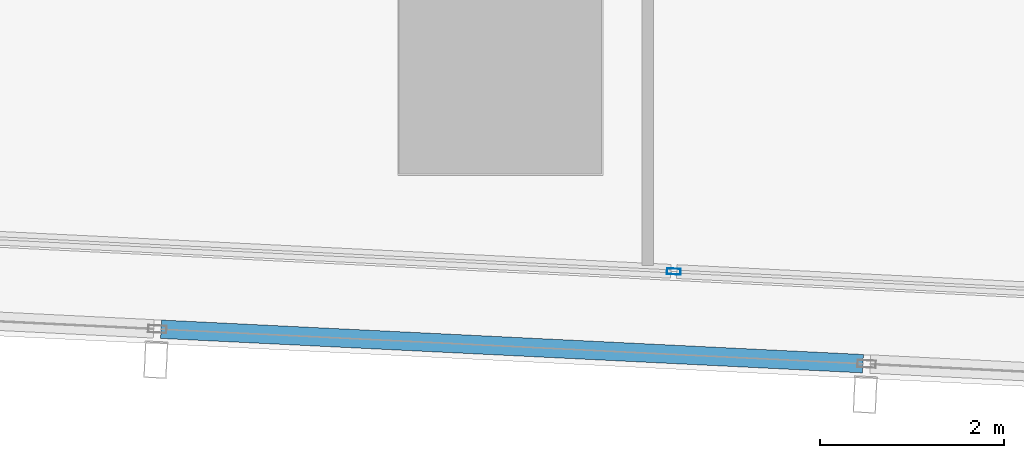
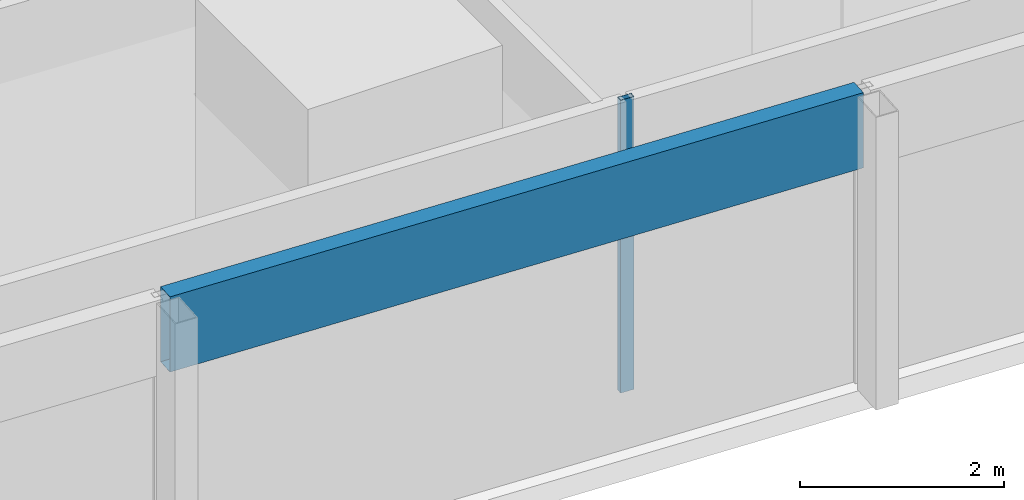
# One storey, part 6 of 42: 2 members, 2 elements without a shape of their own.
"""IFC4 building model written with IfcOpenShell, lengths in metres."""

import ifcopenshell
import ifcopenshell.guid

model = None  # the IFC model being written
_history = None  # IfcOwnerHistory: only IFC2X3 demands one
_inside = {}  # id of a spatial element -> (the spatial element, [elements in it])
_under = {}  # id of a project, library or spatial element -> (it, [spatial elements below it])
_declared = {}  # id of a project -> (the project, [libraries it declares])
_typed = {}  # id of a type object -> (the type object, [elements of that type])
_made_of = {}  # id of a material, layer set ... -> (it, [elements and type objects made of it])


def new_model(schema):
    """Start an empty IFC model of exactly this schema.

    Asked for "IFC4X3", IfcOpenShell would pick the latest addendum, in which some entities
    have other attributes; the version numbers below select the first issue.
    IFC2X3 requires an IfcOwnerHistory on every rooted entity: one is made here for all.
    """
    global model, _history
    if schema == "IFC4X3":
        model = ifcopenshell.file(schema_version=(4, 3, 0, 0))
    else:
        model = ifcopenshell.file(schema=schema)
    _inside.clear()
    _under.clear()
    _declared.clear()
    _typed.clear()
    _made_of.clear()
    _history = None
    if model.schema == "IFC2X3":
        org = make("IfcOrganization", Name="unknown")
        user = make(
            "IfcPersonAndOrganization",
            ThePerson=make("IfcPerson", FamilyName="unknown"),
            TheOrganization=org,
        )
        app = make(
            "IfcApplication",
            ApplicationDeveloper=org,
            Version="unknown",
            ApplicationFullName="unknown",
            ApplicationIdentifier="unknown",
        )
        _history = make(
            "IfcOwnerHistory",
            OwningUser=user,
            OwningApplication=app,
            ChangeAction="ADDED",
            CreationDate=0,
        )
    return model


def make(cls, **values):
    """One entity of the class cls with the attributes given. An attribute that is None is left unset."""
    return model.create_entity(
        cls, **{name: value for name, value in values.items() if value is not None}
    )


def rooted(cls, **values):
    """An entity with a GlobalId (a new one), such as an element, a storey or a relation."""
    return make(cls, GlobalId=ifcopenshell.guid.new(), OwnerHistory=_history, **values)


def si_unit(unit_type, name, prefix=None):
    """IfcSIUnit, for example si_unit("LENGTHUNIT", "METRE", prefix="MILLI")."""
    return make("IfcSIUnit", UnitType=unit_type, Prefix=prefix, Name=name)


def assignment(units):
    """IfcUnitAssignment: the units of a project."""
    return None if units is None else make("IfcUnitAssignment", Units=units)


def point(xyz):
    """IfcCartesianPoint."""
    return None if xyz is None else make("IfcCartesianPoint", Coordinates=xyz)


def direction(xyz):
    """IfcDirection."""
    return None if xyz is None else make("IfcDirection", DirectionRatios=xyz)


def frame(location, z_axis=None, x_axis=None):
    """IfcAxis2Placement3D, a coordinate frame: its origin and axes. An axis left out is left unset."""
    return make(
        "IfcAxis2Placement3D",
        Location=point(location),
        Axis=direction(z_axis),
        RefDirection=direction(x_axis),
    )


def frame_2d(location, x_axis=None):
    """IfcAxis2Placement2D, a coordinate frame in the plane: its origin and x axis."""
    return make(
        "IfcAxis2Placement2D", Location=point(location), RefDirection=direction(x_axis)
    )


def origin():
    """The frame at (0, 0, 0) with its axes left unset."""
    return frame((0.0, 0.0, 0.0))


def origin_2d():
    """The frame at (0, 0) in the plane with its x axis left unset."""
    return frame_2d((0.0, 0.0))


def place(relative_to, where):
    """IfcLocalPlacement: puts the frame where relative to a parent placement (None: the world)."""
    return make(
        "IfcLocalPlacement", PlacementRelTo=relative_to, RelativePlacement=where
    )


def context(
    kind, dimensions, precision=None, world=None, true_north=None, identifier=None
):
    """IfcGeometricRepresentationContext, for example the 3D "Model" context."""
    return make(
        "IfcGeometricRepresentationContext",
        ContextIdentifier=identifier,
        ContextType=kind,
        CoordinateSpaceDimension=dimensions,
        Precision=precision,
        WorldCoordinateSystem=world,
        TrueNorth=true_north,
    )


def subcontext(parent, identifier, kind, view, scale=None):
    """IfcGeometricRepresentationSubContext, for example "Body" below "Model"."""
    return make(
        "IfcGeometricRepresentationSubContext",
        ContextIdentifier=identifier,
        ContextType=kind,
        ParentContext=parent,
        TargetScale=scale,
        TargetView=view,
    )


def project(units=None, contexts=None):
    """IfcProject with its units and contexts."""
    return rooted(
        "IfcProject",
        Name="project",
        RepresentationContexts=contexts,
        UnitsInContext=assignment(units),
    )


def spatial(cls, under=None, at=None, **own):
    """A site, building, storey or space (cls), placed at a placement, below another one or the project."""
    s = rooted(cls, ObjectPlacement=at, **own)
    if under is not None:
        _under.setdefault(under.id(), (under, []))[1].append(s)
    return s


def profile(cls, at=None, kind="AREA", **sizes):
    """A parametric profile (cls). Its sizes go by their IFC names, for example OverallWidth=200.0."""
    return make(cls, ProfileType=kind, Position=at, **sizes)


def hollow_rectangle(**sizes):
    """IfcRectangleHollowProfileDef."""
    return profile("IfcRectangleHollowProfileDef", **sizes)


def extrude(swept, where, along, depth):
    """IfcExtrudedAreaSolid: the profile swept, set in the frame where, extruded along a direction by depth."""
    return make(
        "IfcExtrudedAreaSolid",
        SweptArea=swept,
        Position=where,
        ExtrudedDirection=direction(along),
        Depth=depth,
    )


def shape(context_of_items, identifier, shape_type, items):
    """IfcShapeRepresentation: the items that make up one representation, for example the "Body"."""
    return make(
        "IfcShapeRepresentation",
        ContextOfItems=context_of_items,
        RepresentationIdentifier=identifier,
        RepresentationType=shape_type,
        Items=items,
    )


def material(Name=None, Category=None):
    """IfcMaterial."""
    return make("IfcMaterial", Name=Name, Category=Category)


def material_profile(
    of_material, cross_section, Name=None, Category=None, Priority=None
):
    """IfcMaterialProfile: a cross section and its material."""
    return make(
        "IfcMaterialProfile",
        Name=Name,
        Material=of_material,
        Profile=cross_section,
        Priority=Priority,
        Category=Category,
    )


def profile_set(profiles, Name=None, composite=None):
    """IfcMaterialProfileSet."""
    return make(
        "IfcMaterialProfileSet",
        Name=Name,
        MaterialProfiles=profiles,
        CompositeProfile=composite,
    )


def made_of(thing, what):
    """Note that an element or type object is made of a material, layer set ...; save() writes the relation."""
    if what is not None:
        _made_of.setdefault(what.id(), (what, []))[1].append(thing)
    return thing


def type_object(cls, material=None, **own):
    """A type object (cls), such as IfcWallType, which elements share."""
    return made_of(rooted(cls, **own), material)


def element(
    cls,
    number,
    at=None,
    inside=None,
    cuts=None,
    type_object=None,
    material=None,
    context=None,
    identifier="Body",
    shape_type=None,
    held_by="IfcProductDefinitionShape",
    body=None,
    shapes=None,
    **own,
):
    """One element of the class cls, such as IfcWall. Its Tag is "e" and its number.

    at: its placement. inside: the storey or other place that contains it. cuts: it is an
    opening in that element (IfcRelVoidsElement). A single representation is given by context,
    identifier, shape_type and body (its items); several are given by shapes. held_by: the class
    of the entity that holds the representations. save() writes the other relations.
    """
    e = rooted(cls, Tag="e%d" % number, ObjectPlacement=at, **own)
    if body is not None:
        shapes = [shape(context, identifier, shape_type, body)]
    if shapes is not None:
        e.Representation = make(held_by, Representations=shapes)
    if inside is not None:
        _inside.setdefault(inside.id(), (inside, []))[1].append(e)
    if cuts is not None:
        rooted(
            "IfcRelVoidsElement", RelatingBuildingElement=cuts, RelatedOpeningElement=e
        )
    if type_object is not None:
        _typed.setdefault(type_object.id(), (type_object, []))[1].append(e)
    return made_of(e, material)


def aggregate(whole, parts):
    """IfcRelAggregates: a whole, such as a stair, and the parts it consists of."""
    return rooted("IfcRelAggregates", RelatingObject=whole, RelatedObjects=parts)


def save(model, path):
    """Write the relations noted so far, then the file.

    IfcRelAggregates (storeys below a building ...), IfcRelContainedInSpatialStructure (elements
    in a storey), IfcRelDefinesByType, IfcRelAssociatesMaterial and IfcRelDeclares: one each for
    every whole, place, type object, material and project.
    """
    for whole, parts in _under.values():
        aggregate(whole, parts)
    for where, things in _inside.values():
        rooted(
            "IfcRelContainedInSpatialStructure",
            RelatedElements=things,
            RelatingStructure=where,
        )
    for kind, things in _typed.values():
        rooted("IfcRelDefinesByType", RelatedObjects=things, RelatingType=kind)
    for what, things in _made_of.values():
        rooted("IfcRelAssociatesMaterial", RelatedObjects=things, RelatingMaterial=what)
    for by, libraries in _declared.values():
        rooted("IfcRelDeclares", RelatingContext=by, RelatedDefinitions=libraries)
    model.write(path)


model = new_model("IFC4")

# Units and contexts
model_context = context("Model", 3, precision=1e-05, world=origin(), true_north=direction((0.0, 1.0)))
body_context = subcontext(model_context, "Body", "Model", "MODEL_VIEW")
ifc_project = project(units=[si_unit("LENGTHUNIT", "METRE"), si_unit("AREAUNIT", "SQUARE_METRE"), si_unit("VOLUMEUNIT", "CUBIC_METRE"), si_unit("PLANEANGLEUNIT", "RADIAN"), si_unit("MASSUNIT", "GRAM", prefix="KILO")], contexts=[model_context])

# Site, building, storey
site_placement = place(None, origin())
site = spatial("IfcSite", under=ifc_project, at=site_placement, CompositionType="ELEMENT")
building_placement = place(site_placement, origin())
building = spatial("IfcBuilding", under=site, at=building_placement, Name="Rekha Terrace Tower", CompositionType="ELEMENT")
storey_placement = place(building_placement, frame((0.0, 0.0, 40.39990234375)))
storey = spatial("IfcBuildingStorey", under=building, at=storey_placement, Name="L09", CompositionType="ELEMENT", Elevation=40.39990234375)

# Curtain wall, member
ifc_material_1 = material(Name="Aluminium framing", Category="aluminium")
curtain_wall_type_1 = type_object("IfcCurtainWallType", Name="CW1 double skin inner glazing", PredefinedType="USERDEFINED", material=ifc_material_1)
curtain_wall_1_placement = place(storey_placement, origin())
curtain_wall_1 = element("IfcCurtainWall", 1, at=curtain_wall_1_placement, inside=storey, type_object=curtain_wall_type_1, Name="CW1 double skin inner glazing", ObjectType="DOUBLE SKIN INNER GLAZING", PredefinedType="USERDEFINED")
ifc_material_2 = material(Name="Aluminium mullion section", Category="aluminium")
ifc_material_profile_1 = material_profile(ifc_material_2, hollow_rectangle(XDim=0.06494140625, YDim=0.14990234375, WallThickness=0.00390625, at=origin_2d()), Name="AL RHS 65x150")
ifc_profile_set_1 = profile_set([ifc_material_profile_1], Name="Aluminium mullion section")
member_type_1 = type_object("IfcMemberType", Name="CW1 mullion RHS 65 x 150", PredefinedType="MULLION", material=ifc_profile_set_1)
member_1_placement = place(storey_placement, frame((35.48388671875, 6.24267578125, 0.0), z_axis=(0.0, 0.0, 1.0), x_axis=(0.049051717746, 0.998796239974, 0.0)))
member_1 = element("IfcMember", 2, at=member_1_placement, type_object=member_type_1, Name="CW1 mullion 3", PredefinedType="MULLION", context=body_context, shape_type="SweptSolid", body=[
    extrude(hollow_rectangle(XDim=0.06494140625, YDim=0.14990234375, WallThickness=0.00390625, at=origin_2d()), origin(), (0.0, 0.0, 1.0), 3.5),
])
aggregate(curtain_wall_1, [member_1])

curtain_wall_type_2 = type_object("IfcCurtainWallType", Name="CW2 double skin outer glazing", PredefinedType="USERDEFINED", material=ifc_material_1)
curtain_wall_2_placement = place(storey_placement, origin())
curtain_wall_2 = element("IfcCurtainWall", 3, at=curtain_wall_2_placement, inside=storey, type_object=curtain_wall_type_2, Name="CW2 double skin outer glazing", ObjectType="DOUBLE SKIN OUTER GLAZING", PredefinedType="USERDEFINED")
ifc_material_3 = material(Name="Insulated aluminium spandrel box", Category="aluminium")
ifc_material_profile_2 = material_profile(ifc_material_3, hollow_rectangle(XDim=0.199951171875, YDim=0.89990234375, WallThickness=0.0029296875, at=origin_2d()), Name="AL SPANDREL BOX 200x900")
ifc_profile_set_2 = profile_set([ifc_material_profile_2], Name="Insulated aluminium spandrel box")
member_type_2 = type_object("IfcMemberType", Name="CW2 spandrel transom 200 x 900", PredefinedType="USERDEFINED", material=ifc_profile_set_2)
member_2_placement = place(storey_placement, frame((29.91259765625, 5.615234375, 3.050048828125), z_axis=(0.998796434643, -0.049047753721, 0.0), x_axis=(0.049047753721, 0.998796434643, 0.0)))
member_2 = element("IfcMember", 4, at=member_2_placement, type_object=member_type_2, Name="CW2 spandrel transom 4", ObjectType="TRANSOM", PredefinedType="USERDEFINED", context=body_context, shape_type="SweptSolid", body=[
    extrude(hollow_rectangle(XDim=0.199951171875, YDim=0.89990234375, WallThickness=0.0029296875, at=origin_2d()), origin(), (0.0, 0.0, 1.0), 7.6357421875),
])
aggregate(curtain_wall_2, [member_2])

save(model, "model.ifc")
